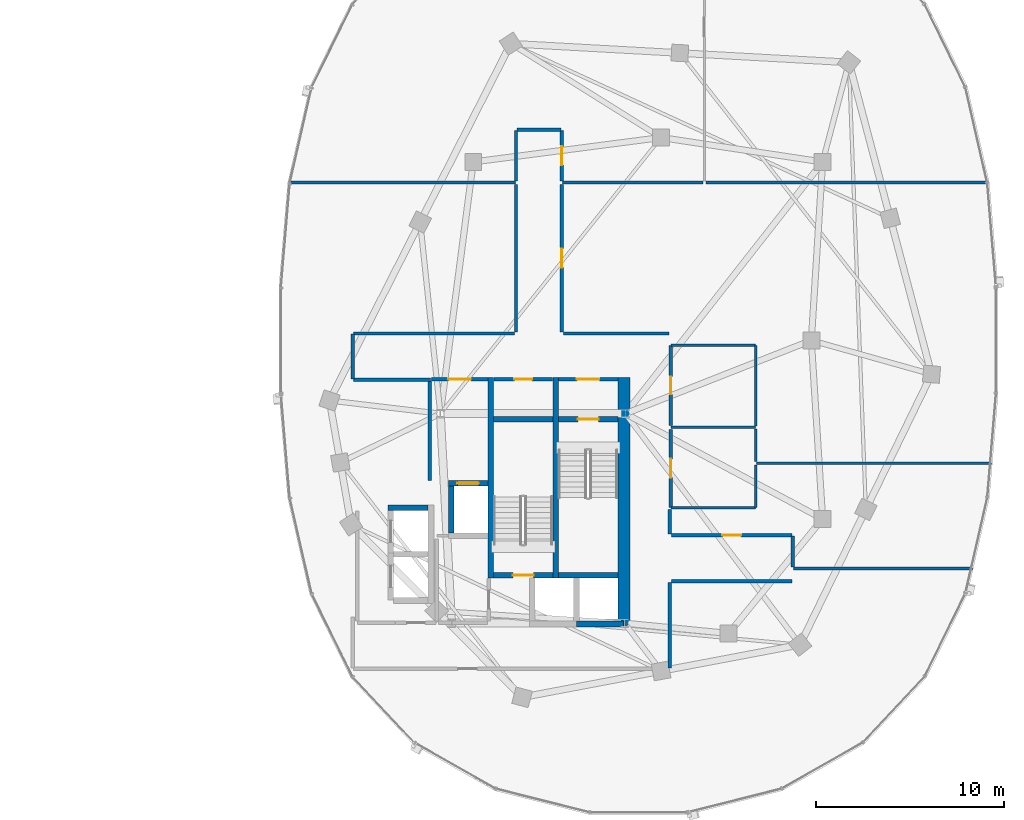
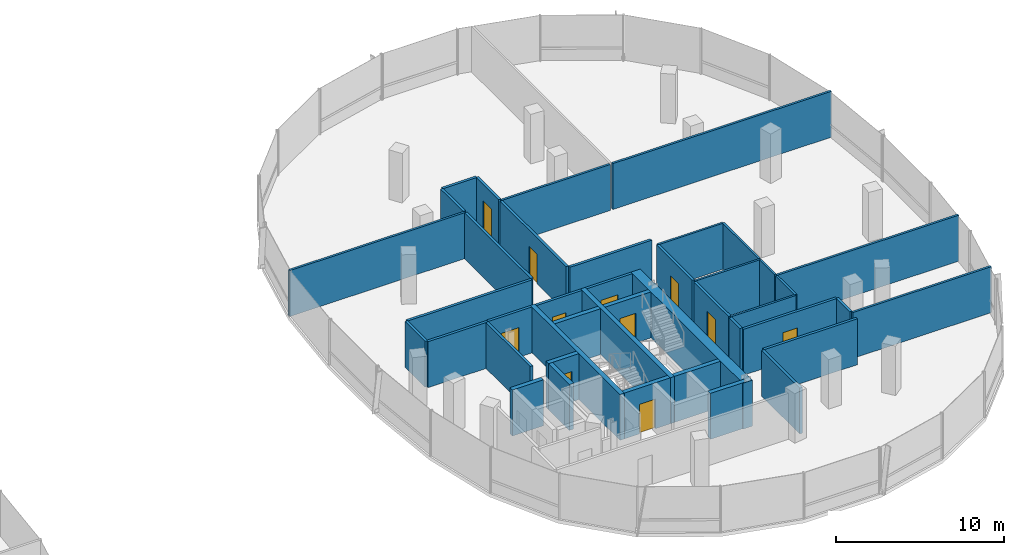
# One storey, part 17 of 25: 42 walls, 11 doors, 11 openings.
"""IFC4 building model written with IfcOpenShell, lengths in metres."""

from ifc_helpers import new_model, si_unit, direction, frame, frame_2d, origin, place, context, subcontext, project, spatial, rectangle, extrude, material, layer, layer_set, type_object, element, fill, save


model = new_model("IFC4")

# Units and contexts
model_context = context("Model", 3, precision=1e-05, world=origin(), true_north=direction((0.0, 1.0)))
body_context = subcontext(model_context, "Body", "Model", "MODEL_VIEW")
ifc_project = project(units=[si_unit("LENGTHUNIT", "METRE"), si_unit("AREAUNIT", "SQUARE_METRE"), si_unit("VOLUMEUNIT", "CUBIC_METRE"), si_unit("PLANEANGLEUNIT", "RADIAN"), si_unit("MASSUNIT", "GRAM", prefix="KILO"), si_unit("THERMODYNAMICTEMPERATUREUNIT", "KELVIN"), si_unit("POWERUNIT", "WATT")], contexts=[model_context])

# Site, building, storey
site_placement = place(None, origin())
site = spatial("IfcSite", under=ifc_project, at=site_placement, CompositionType="ELEMENT")
building_placement = place(site_placement, origin())
building = spatial("IfcBuilding", under=site, at=building_placement, Name="Cundina Bronze Exchange", CompositionType="ELEMENT")
storey_placement = place(building_placement, frame((0.0, 0.0, 209.800048828125)))
storey = spatial("IfcBuildingStorey", under=building, at=storey_placement, Name="L55", CompositionType="ELEMENT", Elevation=209.800048828125)

# Wall
ifc_material_1 = material(Name="Gypsum Fireboard Partition EI120")
ifc_layer_1 = layer(ifc_material_1, 0.179931640625, Name="Gypsum Fireboard Partition EI120")
ifc_layer_set_1 = layer_set([ifc_layer_1], Name="Gypsum Fireboard Partition EI120")
wall_type_1 = type_object("IfcWallType", Name="WL-COR-180", PredefinedType="PARTITIONING", material=ifc_layer_set_1)
wall_1_placement = place(storey_placement, frame((20.889892578125, -7.449951171875, 0.0), z_axis=(0.0, 0.0, 1.0), x_axis=(0.0, 1.0, 0.0)))
element("IfcWall", 1, at=wall_1_placement, inside=storey, type_object=wall_type_1, Name="L55 E Firefighting Lobby Side Wall", PredefinedType="PARTITIONING", context=body_context, shape_type="SweptSolid", body=[
    extrude(rectangle(XDim=5.300048828125, YDim=0.179931640625, at=frame_2d((2.64990234375, 0.0))), origin(), (0.0, 0.0, 1.0), 3.33984375),
])

# Wall, opening, door
wall_2_placement = place(storey_placement, frame((20.97998046875, -2.06005859375, 0.0), z_axis=(0.0, 0.0, 1.0), x_axis=(1.0, 0.0, 0.0)))
wall_2 = element("IfcWall", 2, at=wall_2_placement, inside=storey, type_object=wall_type_1, Name="L55 E Firefighting Lobby Exit Wall", PredefinedType="PARTITIONING", context=body_context, shape_type="SweptSolid", body=[
    extrude(rectangle(XDim=3.0, YDim=0.179931640625, at=frame_2d((1.5, 0.0))), origin(), (0.0, 0.0, 1.0), 3.33984375),
])
opening_1_placement = place(wall_2_placement, frame((0.89990234375, 0.0, 0.0)))
opening_1 = element("IfcOpeningElement", 3, at=opening_1_placement, cuts=wall_2, Name="Opening DF-01", PredefinedType="OPENING", context=body_context, shape_type="SweptSolid", body=[
    extrude(rectangle(XDim=1.199951171875, YDim=2.14990234375, at=frame_2d((0.60009765625, 1.074951171875))), frame((0.0, 0.099853515625, 0.0), z_axis=(0.0, -1.0, 0.0), x_axis=(1.0, 0.0, 0.0)), (0.0, 0.0, 1.0), 0.199951171875),
])
ifc_material_2 = material(Name="Steel ASTM A36 Painted", Category="steel")
door_type_1 = type_object("IfcDoorType", Name="DR-FFL-1200", OperationType="NOTDEFINED", PredefinedType="DOOR", material=ifc_material_2)
door_1_placement = place(opening_1_placement, origin())
door_1 = element("IfcDoor", 4, at=door_1_placement, inside=storey, type_object=door_type_1, Name="L55 E Firefighting Lobby Door", OperationType="SINGLE_SWING_LEFT", OverallHeight=2.14990234375, OverallWidth=1.199951171875, PredefinedType="DOOR", context=body_context, shape_type="SweptSolid", body=[
    extrude(rectangle(XDim=1.199951171875, YDim=2.14990234375, at=frame_2d((0.60009765625, 1.074951171875))), frame((0.0, 0.02490234375, 0.0), z_axis=(0.0, -1.0, 0.0), x_axis=(1.0, 0.0, 0.0)), (0.0, 0.0, 1.0), 0.050048828125),
])
fill(opening_1, door_1)

wall_3_placement = place(storey_placement, frame((27.739990234375, -2.06005859375, 0.0), z_axis=(0.0, 0.0, 1.0), x_axis=(1.0, 0.0, 0.0)))
wall_3 = element("IfcWall", 5, at=wall_3_placement, inside=storey, type_object=wall_type_1, Name="L55 E Stair Vestibule Exit Wall", PredefinedType="PARTITIONING", context=body_context, shape_type="SweptSolid", body=[
    extrude(rectangle(XDim=3.159912109375, YDim=0.179931640625, at=frame_2d((1.580078125, 0.0))), origin(), (0.0, 0.0, 1.0), 3.33984375),
])
opening_2_placement = place(wall_3_placement, frame((0.97998046875, 0.0, 0.0)))
opening_2 = element("IfcOpeningElement", 6, at=opening_2_placement, cuts=wall_3, Name="Opening DF-01", PredefinedType="OPENING", context=body_context, shape_type="SweptSolid", body=[
    extrude(rectangle(XDim=1.199951171875, YDim=2.14990234375, at=frame_2d((0.60009765625, 1.074951171875))), frame((0.0, 0.099853515625, 0.0), z_axis=(0.0, -1.0, 0.0), x_axis=(1.0, 0.0, 0.0)), (0.0, 0.0, 1.0), 0.199951171875),
])
door_2_placement = place(opening_2_placement, origin())
door_2 = element("IfcDoor", 7, at=door_2_placement, inside=storey, type_object=door_type_1, Name="L55 E Stair Vestibule Door", OperationType="SINGLE_SWING_RIGHT", OverallHeight=2.14990234375, OverallWidth=1.199951171875, PredefinedType="DOOR", context=body_context, shape_type="SweptSolid", body=[
    extrude(rectangle(XDim=1.199951171875, YDim=2.14990234375, at=frame_2d((0.60009765625, 1.074951171875))), frame((0.0, 0.02490234375, 0.0), z_axis=(0.0, -1.0, 0.0), x_axis=(1.0, 0.0, 0.0)), (0.0, 0.0, 1.0), 0.050048828125),
])
fill(opening_2, door_2)

wall_4_placement = place(storey_placement, frame((24.300048828125, -2.070068359375, 0.0), z_axis=(0.0, 0.0, 1.0), x_axis=(1.0, 0.0, 0.0)))
wall_4 = element("IfcWall", 8, at=wall_4_placement, inside=storey, type_object=wall_type_1, Name="L55 Interior Partition 049", PredefinedType="PARTITIONING", context=body_context, shape_type="SweptSolid", body=[
    extrude(rectangle(XDim=3.119873046875, YDim=0.179931640625, at=frame_2d((1.56005859375, 0.0))), origin(), (0.0, 0.0, 1.0), 3.33984375),
])
opening_3_placement = place(wall_4_placement, frame((1.0849609375, 0.0, 0.0)))
opening_3 = element("IfcOpeningElement", 9, at=opening_3_placement, cuts=wall_4, Name="Opening DW-01", PredefinedType="OPENING", context=body_context, shape_type="SweptSolid", body=[
    extrude(rectangle(XDim=0.949951171875, YDim=2.10009765625, at=frame_2d((0.47509765625, 1.050048828125))), frame((0.0, 0.099853515625, 0.0), z_axis=(0.0, -1.0, 0.0), x_axis=(1.0, 0.0, 0.0)), (0.0, 0.0, 1.0), 0.199951171875),
])
ifc_material_3 = material(Name="Solid Andean Oak Timber Grade A", Category="wood")
door_type_2 = type_object("IfcDoorType", Name="DR-WC-950", OperationType="NOTDEFINED", PredefinedType="DOOR", material=ifc_material_3)
door_3_placement = place(opening_3_placement, origin())
door_3 = element("IfcDoor", 10, at=door_3_placement, inside=storey, type_object=door_type_2, Name="L55 Interior Door 049", OperationType="SINGLE_SWING_RIGHT", OverallHeight=2.10009765625, OverallWidth=0.949951171875, PredefinedType="DOOR", context=body_context, shape_type="SweptSolid", body=[
    extrude(rectangle(XDim=0.949951171875, YDim=2.10009765625, at=frame_2d((0.47509765625, 1.050048828125))), frame((0.0, 0.02490234375, 0.0), z_axis=(0.0, -1.0, 0.0), x_axis=(1.0, 0.0, 0.0)), (0.0, 0.0, 1.0), 0.050048828125),
])
fill(opening_3, door_3)

wall_5_placement = place(storey_placement, frame((33.719970703125, -4.530029296875, 0.0), z_axis=(0.0, 0.0, 1.0), x_axis=(0.0, 1.0, 0.0)))
wall_5 = element("IfcWall", 11, at=wall_5_placement, inside=storey, type_object=wall_type_1, Name="L55 Interior Partition 057", PredefinedType="PARTITIONING", context=body_context, shape_type="SweptSolid", body=[
    extrude(rectangle(XDim=4.260009765625, YDim=0.179931640625, at=frame_2d((2.1298828125, 0.0))), origin(), (0.0, 0.0, 1.0), 3.33984375),
])
opening_4_placement = place(wall_5_placement, frame((1.655029296875, 0.0, 0.0)))
opening_4 = element("IfcOpeningElement", 12, at=opening_4_placement, cuts=wall_5, Name="Opening DW-01", PredefinedType="OPENING", context=body_context, shape_type="SweptSolid", body=[
    extrude(rectangle(XDim=0.949951171875, YDim=2.10009765625, at=frame_2d((0.47509765625, 1.050048828125))), frame((0.0, 0.099853515625, 0.0), z_axis=(0.0, -1.0, 0.0), x_axis=(1.0, 0.0, 0.0)), (0.0, 0.0, 1.0), 0.199951171875),
])
door_4_placement = place(opening_4_placement, origin())
door_4 = element("IfcDoor", 13, at=door_4_placement, inside=storey, type_object=door_type_2, Name="L55 Interior Door 057", OperationType="SINGLE_SWING_RIGHT", OverallHeight=2.10009765625, OverallWidth=0.949951171875, PredefinedType="DOOR", context=body_context, shape_type="SweptSolid", body=[
    extrude(rectangle(XDim=0.949951171875, YDim=2.10009765625, at=frame_2d((0.47509765625, 1.050048828125))), frame((0.0, 0.02490234375, 0.0), z_axis=(0.0, -1.0, 0.0), x_axis=(1.0, 0.0, 0.0)), (0.0, 0.0, 1.0), 0.050048828125),
])
fill(opening_4, door_4)

wall_6_placement = place(storey_placement, frame((33.719970703125, -8.889892578125, 0.0), z_axis=(0.0, 0.0, 1.0), x_axis=(0.0, 1.0, 0.0)))
wall_6 = element("IfcWall", 14, at=wall_6_placement, inside=storey, type_object=wall_type_1, Name="L55 Interior Partition 058", PredefinedType="PARTITIONING", context=body_context, shape_type="SweptSolid", body=[
    extrude(rectangle(XDim=4.159912109375, YDim=0.179931640625, at=frame_2d((2.080078125, 0.0))), origin(), (0.0, 0.0, 1.0), 3.33984375),
])
opening_5_placement = place(wall_6_placement, frame((1.580078125, 0.0, 0.0)))
opening_5 = element("IfcOpeningElement", 15, at=opening_5_placement, cuts=wall_6, Name="Opening DO-01", PredefinedType="OPENING", context=body_context, shape_type="SweptSolid", body=[
    extrude(rectangle(XDim=1.0, YDim=2.14990234375, at=frame_2d((0.5, 1.074951171875))), frame((0.0, 0.099853515625, 0.0), z_axis=(0.0, -1.0, 0.0), x_axis=(1.0, 0.0, 0.0)), (0.0, 0.0, 1.0), 0.199951171875),
])
door_type_3 = type_object("IfcDoorType", Name="DR-OFF-1000", OperationType="NOTDEFINED", PredefinedType="DOOR", material=ifc_material_3)
door_5_placement = place(opening_5_placement, origin())
door_5 = element("IfcDoor", 16, at=door_5_placement, inside=storey, type_object=door_type_3, Name="L55 Interior Door 058", OperationType="SINGLE_SWING_RIGHT", OverallHeight=2.14990234375, OverallWidth=1.0, PredefinedType="DOOR", context=body_context, shape_type="SweptSolid", body=[
    extrude(rectangle(XDim=1.0, YDim=2.14990234375, at=frame_2d((0.5, 1.074951171875))), frame((0.0, 0.02490234375, 0.0), z_axis=(0.0, -1.0, 0.0), x_axis=(1.0, 0.0, 0.0)), (0.0, 0.0, 1.0), 0.050048828125),
])
fill(opening_5, door_5)

# Walls
wall_7_placement = place(storey_placement, frame((25.39990234375, 0.3701171875, 0.0), z_axis=(0.0, 0.0, 1.0), x_axis=(-1.0, 0.0, 0.0)))
element("IfcWall", 17, at=wall_7_placement, inside=storey, type_object=wall_type_1, Name="L55 Interior Partition 065", PredefinedType="PARTITIONING", context=body_context, shape_type="SweptSolid", body=[
    extrude(rectangle(XDim=8.578369140625, YDim=0.179931640625, at=frame_2d((4.2890625, 0.0))), origin(), (0.0, 0.0, 1.0), 3.33984375),
])
wall_8_placement = place(storey_placement, frame((25.47998046875, 8.31005859375, 0.0), z_axis=(0.0, 0.0, 1.0), x_axis=(0.0, -1.0, 0.0)))
element("IfcWall", 18, at=wall_8_placement, inside=storey, type_object=wall_type_1, Name="L55 Interior Partition 066", PredefinedType="PARTITIONING", context=body_context, shape_type="SweptSolid", body=[
    extrude(rectangle(XDim=7.860107421875, YDim=0.179931640625, at=frame_2d((3.93017578125, 0.0))), origin(), (0.0, 0.0, 1.0), 3.33984375),
])
wall_9_placement = place(storey_placement, frame((33.75, -12.820068359375, 0.0), z_axis=(0.0, 0.0, 1.0), x_axis=(1.0, 0.0, 0.0)))
element("IfcWall", 19, at=wall_9_placement, inside=storey, type_object=wall_type_1, Name="L55 Interior Partition 067", PredefinedType="PARTITIONING", context=body_context, shape_type="SweptSolid", body=[
    extrude(rectangle(XDim=6.428466796875, YDim=0.179931640625, at=frame_2d((3.21435546875, 0.0))), origin(), (0.0, 0.0, 1.0), 3.33984375),
])
wall_10_placement = place(storey_placement, frame((33.669921875, -17.428466796875, 0.0), z_axis=(0.0, 0.0, 1.0), x_axis=(0.0, 1.0, 0.0)))
element("IfcWall", 20, at=wall_10_placement, inside=storey, type_object=wall_type_1, Name="L55 Interior Partition 068", PredefinedType="PARTITIONING", context=body_context, shape_type="SweptSolid", body=[
    extrude(rectangle(XDim=4.528564453125, YDim=0.179931640625, at=frame_2d((2.26416015625, 0.0))), origin(), (0.0, 0.0, 1.0), 3.33984375),
])
wall_11_placement = place(storey_placement, frame((16.821533203125, -2.10009765625, 0.0), z_axis=(0.0, 0.0, 1.0), x_axis=(1.0, 0.0, 0.0)))
element("IfcWall", 21, at=wall_11_placement, inside=storey, type_object=wall_type_1, Name="L55 Interior Partition 069", PredefinedType="PARTITIONING", context=body_context, shape_type="SweptSolid", body=[
    extrude(rectangle(XDim=4.098388671875, YDim=0.179931640625, at=frame_2d((2.04931640625, 0.0))), origin(), (0.0, 0.0, 1.0), 3.33984375),
])
wall_12_placement = place(storey_placement, frame((16.780029296875, 0.32861328125, 0.0), z_axis=(0.0, 0.0, 1.0), x_axis=(0.0, -1.0, 0.0)))
element("IfcWall", 22, at=wall_12_placement, inside=storey, type_object=wall_type_1, Name="L55 Interior Partition 071", PredefinedType="PARTITIONING", context=body_context, shape_type="SweptSolid", body=[
    extrude(rectangle(XDim=2.38720703125, YDim=0.179931640625, at=frame_2d((1.193603515625, 0.0))), origin(), (0.0, 0.0, 1.0), 3.33984375),
])

# Wall, opening, door
wall_13_placement = place(storey_placement, frame((40.178466796875, -10.3798828125, 0.0), z_axis=(0.0, 0.0, 1.0), x_axis=(-1.0, 0.0, 0.0)))
wall_13 = element("IfcWall", 23, at=wall_13_placement, inside=storey, type_object=wall_type_1, Name="L55 Interior Partition 072", PredefinedType="PARTITIONING", context=body_context, shape_type="SweptSolid", body=[
    extrude(rectangle(XDim=6.428466796875, YDim=0.179931640625, at=frame_2d((3.21435546875, 0.0))), origin(), (0.0, 0.0, 1.0), 3.33984375),
])
opening_6_placement = place(wall_13_placement, frame((2.714111328125, 0.0, 0.0)))
opening_6 = element("IfcOpeningElement", 24, at=opening_6_placement, cuts=wall_13, Name="Opening DO-01", PredefinedType="OPENING", context=body_context, shape_type="SweptSolid", body=[
    extrude(rectangle(XDim=1.0, YDim=2.14990234375, at=frame_2d((0.5, 1.074951171875))), frame((0.0, 0.099853515625, 0.0), z_axis=(0.0, -1.0, 0.0), x_axis=(1.0, 0.0, 0.0)), (0.0, 0.0, 1.0), 0.199951171875),
])
door_6_placement = place(opening_6_placement, origin())
door_6 = element("IfcDoor", 25, at=door_6_placement, inside=storey, type_object=door_type_3, Name="L55 Interior Door 072", OperationType="SINGLE_SWING_RIGHT", OverallHeight=2.14990234375, OverallWidth=1.0, PredefinedType="DOOR", context=body_context, shape_type="SweptSolid", body=[
    extrude(rectangle(XDim=1.0, YDim=2.14990234375, at=frame_2d((0.5, 1.074951171875))), frame((0.0, 0.02490234375, 0.0), z_axis=(0.0, -1.0, 0.0), x_axis=(1.0, 0.0, 0.0)), (0.0, 0.0, 1.0), 0.050048828125),
])
fill(opening_6, door_6)

# Walls
wall_14_placement = place(storey_placement, frame((40.219970703125, -12.050048828125, 0.0), z_axis=(0.0, 0.0, 1.0), x_axis=(0.0, 1.0, 0.0)))
element("IfcWall", 26, at=wall_14_placement, inside=storey, type_object=wall_type_1, Name="L55 Interior Partition 073", PredefinedType="PARTITIONING", context=body_context, shape_type="SweptSolid", body=[
    extrude(rectangle(XDim=1.628662109375, YDim=0.179931640625, at=frame_2d((0.814453125, 0.0))), origin(), (0.0, 0.0, 1.0), 3.33984375),
])
wall_15_placement = place(storey_placement, frame((33.669921875, -10.300048828125, 0.0), z_axis=(0.0, 0.0, 1.0), x_axis=(0.0, 1.0, 0.0)))
element("IfcWall", 27, at=wall_15_placement, inside=storey, type_object=wall_type_1, Name="L55 Interior Partition 074", PredefinedType="PARTITIONING", context=body_context, shape_type="SweptSolid", body=[
    extrude(rectangle(XDim=1.298583984375, YDim=0.179931640625, at=frame_2d((0.6494140625, 0.0))), origin(), (0.0, 0.0, 1.0), 3.33984375),
])

# Wall, opening, door
wall_16_placement = place(storey_placement, frame((27.919921875, 0.449951171875, 0.0), z_axis=(0.0, 0.0, 1.0), x_axis=(0.0, 1.0, 0.0)))
wall_16 = element("IfcWall", 28, at=wall_16_placement, inside=storey, type_object=wall_type_1, Name="L55 Interior Partition 075", PredefinedType="PARTITIONING", context=body_context, shape_type="SweptSolid", body=[
    extrude(rectangle(XDim=7.860107421875, YDim=0.179931640625, at=frame_2d((3.93017578125, 0.0))), origin(), (0.0, 0.0, 1.0), 3.33984375),
])
opening_7_placement = place(wall_16_placement, frame((3.429931640625, 0.0, 0.0)))
opening_7 = element("IfcOpeningElement", 29, at=opening_7_placement, cuts=wall_16, Name="Opening DO-01", PredefinedType="OPENING", context=body_context, shape_type="SweptSolid", body=[
    extrude(rectangle(XDim=1.0, YDim=2.14990234375, at=frame_2d((0.5, 1.074951171875))), frame((0.0, 0.099853515625, 0.0), z_axis=(0.0, -1.0, 0.0), x_axis=(1.0, 0.0, 0.0)), (0.0, 0.0, 1.0), 0.199951171875),
])
door_7_placement = place(opening_7_placement, origin())
door_7 = element("IfcDoor", 30, at=door_7_placement, inside=storey, type_object=door_type_3, Name="L55 Interior Door 075", OperationType="SINGLE_SWING_LEFT", OverallHeight=2.14990234375, OverallWidth=1.0, PredefinedType="DOOR", context=body_context, shape_type="SweptSolid", body=[
    extrude(rectangle(XDim=1.0, YDim=2.14990234375, at=frame_2d((0.5, 1.074951171875))), frame((0.0, 0.02490234375, 0.0), z_axis=(0.0, -1.0, 0.0), x_axis=(1.0, 0.0, 0.0)), (0.0, 0.0, 1.0), 0.050048828125),
])
fill(opening_7, door_7)

# Wall
wall_17_placement = place(storey_placement, frame((33.62841796875, 0.3701171875, 0.0), z_axis=(0.0, 0.0, 1.0), x_axis=(-1.0, 0.0, 0.0)))
element("IfcWall", 31, at=wall_17_placement, inside=storey, type_object=wall_type_1, Name="L55 Interior Partition 076", PredefinedType="PARTITIONING", context=body_context, shape_type="SweptSolid", body=[
    extrude(rectangle(XDim=5.62841796875, YDim=0.179931640625, at=frame_2d((2.814208984375, 0.0))), origin(), (0.0, 0.0, 1.0), 3.33984375),
])

# Wall, opening, door
wall_18_placement = place(storey_placement, frame((27.919921875, 8.489990234375, 0.0), z_axis=(0.0, 0.0, 1.0), x_axis=(0.0, 1.0, 0.0)))
wall_18 = element("IfcWall", 32, at=wall_18_placement, inside=storey, type_object=wall_type_1, Name="L55 Interior Partition 077", PredefinedType="PARTITIONING", context=body_context, shape_type="SweptSolid", body=[
    extrude(rectangle(XDim=2.6884765625, YDim=0.179931640625, at=frame_2d((1.34423828125, 0.0))), origin(), (0.0, 0.0, 1.0), 3.33984375),
])
opening_8_placement = place(wall_18_placement, frame((0.84423828125, 0.0, 0.0)))
opening_8 = element("IfcOpeningElement", 33, at=opening_8_placement, cuts=wall_18, Name="Opening DO-01", PredefinedType="OPENING", context=body_context, shape_type="SweptSolid", body=[
    extrude(rectangle(XDim=1.0, YDim=2.14990234375, at=frame_2d((0.5, 1.074951171875))), frame((0.0, 0.099853515625, 0.0), z_axis=(0.0, -1.0, 0.0), x_axis=(1.0, 0.0, 0.0)), (0.0, 0.0, 1.0), 0.199951171875),
])
door_8_placement = place(opening_8_placement, origin())
door_8 = element("IfcDoor", 34, at=door_8_placement, inside=storey, type_object=door_type_3, Name="L55 Interior Door 077", OperationType="SINGLE_SWING_RIGHT", OverallHeight=2.14990234375, OverallWidth=1.0, PredefinedType="DOOR", context=body_context, shape_type="SweptSolid", body=[
    extrude(rectangle(XDim=1.0, YDim=2.14990234375, at=frame_2d((0.5, 1.074951171875))), frame((0.0, 0.02490234375, 0.0), z_axis=(0.0, -1.0, 0.0), x_axis=(1.0, 0.0, 0.0)), (0.0, 0.0, 1.0), 0.050048828125),
])
fill(opening_8, door_8)

# Walls
wall_19_placement = place(storey_placement, frame((25.47998046875, 11.178466796875, 0.0), z_axis=(0.0, 0.0, 1.0), x_axis=(0.0, -1.0, 0.0)))
element("IfcWall", 35, at=wall_19_placement, inside=storey, type_object=wall_type_1, Name="L55 Interior Partition 078", PredefinedType="PARTITIONING", context=body_context, shape_type="SweptSolid", body=[
    extrude(rectangle(XDim=2.6884765625, YDim=0.179931640625, at=frame_2d((1.34423828125, 0.0))), origin(), (0.0, 0.0, 1.0), 3.33984375),
])
wall_20_placement = place(storey_placement, frame((27.87841796875, 11.219970703125, 0.0), z_axis=(0.0, 0.0, 1.0), x_axis=(-1.0, 0.0, 0.0)))
element("IfcWall", 36, at=wall_20_placement, inside=storey, type_object=wall_type_1, Name="L55 Interior Partition 079", PredefinedType="PARTITIONING", context=body_context, shape_type="SweptSolid", body=[
    extrude(rectangle(XDim=2.35693359375, YDim=0.179931640625, at=frame_2d((1.178466796875, 0.0))), origin(), (0.0, 0.0, 1.0), 3.33984375),
])
ifc_material_4 = material(Name="Concrete C50/60", Category="concrete")
ifc_layer_2 = layer(ifc_material_4, 0.64990234375, Name="Concrete C50/60", Category="concrete")
ifc_layer_set_2 = layer_set([ifc_layer_2], Name="Concrete C50/60")
wall_type_2 = type_object("IfcWallType", Name="WL-CORE-650", PredefinedType="SHEAR", material=ifc_layer_set_2)
wall_21_placement = place(storey_placement, frame((31.22509765625, -15.300048828125, 0.0), z_axis=(0.0, 0.0, 1.0), x_axis=(0.0, 1.0, 0.0)))
element("IfcWall", 37, at=wall_21_placement, inside=storey, type_object=wall_type_2, Name="L55 E Primary Core Shear Spine Wall", PredefinedType="SHEAR", context=body_context, shape_type="SweptSolid", body=[
    extrude(rectangle(XDim=13.330078125, YDim=0.64990234375, at=frame_2d((6.6650390625, 0.0))), origin(), (0.0, 0.0, 1.0), 3.33984375),
])
ifc_layer_3 = layer(ifc_material_4, 0.300048828125, Name="Concrete C50/60", Category="concrete")
ifc_layer_set_3 = layer_set([ifc_layer_3], Name="Concrete C50/60")
wall_type_3 = type_object("IfcWallType", Name="WL-SHFT-300", PredefinedType="SHEAR", material=ifc_layer_set_3)
for number, where, z_axis, x_axis, name in (
    (38, (27.590087890625, -12.64990234375, 0.0), (0.0, 0.0, 1.0), (0.0, 1.0, 0.0), "L55 E Stair Shaft Dividing Shear Wall"),
    (39, (24.1298828125, -12.64990234375, 0.0), (0.0, 0.0, 1.0), (0.0, 1.0, 0.0), "L55 E Stair 2 East Shear Wall"),
):
    element("IfcWall", number, at=place(storey_placement, frame(where, z_axis=z_axis, x_axis=x_axis)), inside=storey, type_object=wall_type_3, Name=name, PredefinedType="SHEAR", context=body_context, shape_type="SweptSolid", body=[
        extrude(rectangle(XDim=10.679931640625, YDim=0.300048828125, at=frame_2d((5.33984375, 0.0))), origin(), (0.0, 0.0, 1.0), 3.33984375),
    ])

# Wall, opening, door
wall_22_placement = place(storey_placement, frame((27.739990234375, -4.199951171875, 0.0), z_axis=(0.0, 0.0, 1.0), x_axis=(1.0, 0.0, 0.0)))
wall_22 = element("IfcWall", 40, at=wall_22_placement, inside=storey, type_object=wall_type_3, Name="L55 Stair E1 Landing Wall", PredefinedType="SHEAR", context=body_context, shape_type="SweptSolid", body=[
    extrude(rectangle(XDim=3.159912109375, YDim=0.300048828125, at=frame_2d((1.580078125, 0.0))), origin(), (0.0, 0.0, 1.0), 3.33984375),
])
opening_9_placement = place(wall_22_placement, frame((1.030029296875, 0.0, 0.0)))
opening_9 = element("IfcOpeningElement", 41, at=opening_9_placement, cuts=wall_22, Name="Opening DS-01", PredefinedType="OPENING", context=body_context, shape_type="SweptSolid", body=[
    extrude(rectangle(XDim=1.10009765625, YDim=2.14990234375, at=frame_2d((0.550048828125, 1.074951171875))), frame((0.0, 0.159912109375, 0.0), z_axis=(0.0, -1.0, 0.0), x_axis=(1.0, 0.0, 0.0)), (0.0, 0.0, 1.0), 0.320068359375),
])
door_type_4 = type_object("IfcDoorType", Name="DR-STR-1100", OperationType="NOTDEFINED", PredefinedType="DOOR", material=ifc_material_2)
door_9_placement = place(opening_9_placement, origin())
door_9 = element("IfcDoor", 42, at=door_9_placement, inside=storey, type_object=door_type_4, Name="L55 Smokeproof Stair E1 Door", OperationType="SINGLE_SWING_LEFT", OverallHeight=2.14990234375, OverallWidth=1.10009765625, PredefinedType="DOOR", context=body_context, shape_type="SweptSolid", body=[
    extrude(rectangle(XDim=1.10009765625, YDim=2.14990234375, at=frame_2d((0.550048828125, 1.074951171875))), frame((0.0, 0.02490234375, 0.0), z_axis=(0.0, -1.0, 0.0), x_axis=(1.0, 0.0, 0.0)), (0.0, 0.0, 1.0), 0.050048828125),
])
fill(opening_9, door_9)

# Wall
wall_23_placement = place(storey_placement, frame((27.739990234375, -12.5, 0.0), z_axis=(0.0, 0.0, 1.0), x_axis=(1.0, 0.0, 0.0)))
element("IfcWall", 43, at=wall_23_placement, inside=storey, type_object=wall_type_3, Name="L55 Stair E1 Far Shaft Wall", PredefinedType="SHEAR", context=body_context, shape_type="SweptSolid", body=[
    extrude(rectangle(XDim=3.159912109375, YDim=0.300048828125, at=frame_2d((1.580078125, 0.0))), origin(), (0.0, 0.0, 1.0), 3.33984375),
])

# Wall, opening, door
wall_24_placement = place(storey_placement, frame((24.280029296875, -12.5, 0.0), z_axis=(0.0, 0.0, 1.0), x_axis=(1.0, 0.0, 0.0)))
wall_24 = element("IfcWall", 44, at=wall_24_placement, inside=storey, type_object=wall_type_3, Name="L55 Stair E2 Landing Wall", PredefinedType="SHEAR", context=body_context, shape_type="SweptSolid", body=[
    extrude(rectangle(XDim=3.159912109375, YDim=0.300048828125, at=frame_2d((1.580078125, 0.0))), origin(), (0.0, 0.0, 1.0), 3.33984375),
])
opening_10_placement = place(wall_24_placement, frame((1.030029296875, 0.0, 0.0)))
opening_10 = element("IfcOpeningElement", 45, at=opening_10_placement, cuts=wall_24, Name="Opening DS-01", PredefinedType="OPENING", context=body_context, shape_type="SweptSolid", body=[
    extrude(rectangle(XDim=1.10009765625, YDim=2.14990234375, at=frame_2d((0.550048828125, 1.074951171875))), frame((0.0, 0.159912109375, 0.0), z_axis=(0.0, -1.0, 0.0), x_axis=(1.0, 0.0, 0.0)), (0.0, 0.0, 1.0), 0.320068359375),
])
door_10_placement = place(opening_10_placement, origin())
door_10 = element("IfcDoor", 46, at=door_10_placement, inside=storey, type_object=door_type_4, Name="L55 Smokeproof Stair E2 Door", OperationType="SINGLE_SWING_RIGHT", OverallHeight=2.14990234375, OverallWidth=1.10009765625, PredefinedType="DOOR", context=body_context, shape_type="SweptSolid", body=[
    extrude(rectangle(XDim=1.10009765625, YDim=2.14990234375, at=frame_2d((0.550048828125, 1.074951171875))), frame((0.0, 0.02490234375, 0.0), z_axis=(0.0, -1.0, 0.0), x_axis=(1.0, 0.0, 0.0)), (0.0, 0.0, 1.0), 0.050048828125),
])
fill(opening_10, door_10)

# Wall
wall_25_placement = place(storey_placement, frame((24.280029296875, -4.199951171875, 0.0), z_axis=(0.0, 0.0, 1.0), x_axis=(1.0, 0.0, 0.0)))
element("IfcWall", 47, at=wall_25_placement, inside=storey, type_object=wall_type_3, Name="L55 Stair E2 Far Shaft Wall", PredefinedType="SHEAR", context=body_context, shape_type="SweptSolid", body=[
    extrude(rectangle(XDim=3.159912109375, YDim=0.300048828125, at=frame_2d((1.580078125, 0.0))), origin(), (0.0, 0.0, 1.0), 3.33984375),
])

# Wall, opening, door
wall_26_placement = place(storey_placement, frame((21.8798828125, -7.60009765625, 0.0), z_axis=(0.0, 0.0, 1.0), x_axis=(1.0, 0.0, 0.0)))
wall_26 = element("IfcWall", 48, at=wall_26_placement, inside=storey, type_object=wall_type_3, Name="L55 FFL-E Hoistway Front Wall", PredefinedType="SHEAR", context=body_context, shape_type="SweptSolid", body=[
    extrude(rectangle(XDim=2.10009765625, YDim=0.300048828125, at=frame_2d((1.050048828125, 0.0))), origin(), (0.0, 0.0, 1.0), 3.33984375),
])
opening_11_placement = place(wall_26_placement, frame((0.47509765625, 0.0, 0.0)))
opening_11 = element("IfcOpeningElement", 49, at=opening_11_placement, cuts=wall_26, Name="Opening LD-01", PredefinedType="OPENING", context=body_context, shape_type="SweptSolid", body=[
    extrude(rectangle(XDim=1.14990234375, YDim=2.199951171875, at=frame_2d((0.574951171875, 1.10009765625))), frame((0.0, 0.159912109375, 0.0), z_axis=(0.0, -1.0, 0.0), x_axis=(1.0, 0.0, 0.0)), (0.0, 0.0, 1.0), 0.320068359375),
])
door_type_5 = type_object("IfcDoorType", Name="DR-LND-1150", OperationType="NOTDEFINED", PredefinedType="TRAPDOOR", material=ifc_material_2)
door_11_placement = place(opening_11_placement, origin())
door_11 = element("IfcDoor", 50, at=door_11_placement, inside=storey, type_object=door_type_5, Name="L55 FFL-E Sliding Landing Door", OperationType="SLIDING_TO_LEFT", OverallHeight=2.199951171875, OverallWidth=1.14990234375, PredefinedType="TRAPDOOR", context=body_context, shape_type="SweptSolid", body=[
    extrude(rectangle(XDim=1.14990234375, YDim=2.199951171875, at=frame_2d((0.574951171875, 1.10009765625))), frame((0.0, 0.02490234375, 0.0), z_axis=(0.0, -1.0, 0.0), x_axis=(1.0, 0.0, 0.0)), (0.0, 0.0, 1.0), 0.050048828125),
])
fill(opening_11, door_11)

# Walls
for number, where, z_axis, x_axis, name in (
    (51, (22.030029296875, -10.25, 0.0), (0.0, 0.0, 1.0), (0.0, 1.0, 0.0), "L55 FFL-E Hoistway Side Wall"),
    (52, (28.699951171875, -15.10009765625, 0.0), (0.0, 0.0, 1.0), (1.0, 0.0, 0.0), "L55 PH-E1 Hoistway Front Wall"),
):
    element("IfcWall", number, at=place(storey_placement, frame(where, z_axis=z_axis, x_axis=x_axis)), inside=storey, type_object=wall_type_3, Name=name, PredefinedType="SHEAR", context=body_context, shape_type="SweptSolid", body=[
        extrude(rectangle(XDim=2.5, YDim=0.300048828125, at=frame_2d((1.25, 0.0))), origin(), (0.0, 0.0, 1.0), 3.33984375),
    ])
wall_27_placement = place(storey_placement, frame((18.64990234375, -8.89990234375, 0.0), z_axis=(0.0, 0.0, 1.0), x_axis=(1.0, 0.0, 0.0)))
element("IfcWall", 53, at=wall_27_placement, inside=storey, type_object=wall_type_3, Name="L55 E Passenger Bank North Cap Wall", PredefinedType="SHEAR", context=body_context, shape_type="SweptSolid", body=[
    extrude(rectangle(XDim=2.150146484375, YDim=0.300048828125, at=frame_2d((1.0751953125, 0.0))), origin(), (0.0, 0.0, 1.0), 3.33984375),
])
ifc_material_5 = material(Name="Gypsum Acoustic Partition EI60")
ifc_layer_4 = layer(ifc_material_5, 0.14990234375, Name="Gypsum Acoustic Partition EI60")
ifc_layer_set_4 = layer_set([ifc_layer_4], Name="Gypsum Acoustic Partition EI60")
wall_type_4 = type_object("IfcWallType", Name="WL-TEN-150", PredefinedType="PARTITIONING", material=ifc_layer_set_4)
wall_28_placement = place(storey_placement, frame((13.370361328125, 8.39990234375, 0.0), z_axis=(0.0, 0.0, 1.0), x_axis=(1.0, 0.0, 0.0)))
element("IfcWall", 54, at=wall_28_placement, inside=storey, type_object=wall_type_4, Name="L55 Interior Partition 059", PredefinedType="PARTITIONING", context=body_context, shape_type="SweptSolid", body=[
    extrude(rectangle(XDim=12.07958984375, YDim=0.14990234375, at=frame_2d((6.039794921875, 0.0))), origin(), (0.0, 0.0, 1.0), 3.33984375),
])
wall_29_placement = place(storey_placement, frame((27.949951171875, 8.39990234375, 0.0), z_axis=(0.0, 0.0, 1.0), x_axis=(1.0, 0.0, 0.0)))
element("IfcWall", 55, at=wall_29_placement, inside=storey, type_object=wall_type_4, Name="L55 Interior Partition 060", PredefinedType="PARTITIONING", context=body_context, shape_type="SweptSolid", body=[
    extrude(rectangle(XDim=7.47509765625, YDim=0.14990234375, at=frame_2d((3.737548828125, 0.0))), origin(), (0.0, 0.0, 1.0), 3.33984375),
])
wall_30_placement = place(storey_placement, frame((35.594970703125, 8.39990234375, 0.0), z_axis=(0.0, 0.0, 1.0), x_axis=(1.0, 0.0, 0.0)))
element("IfcWall", 56, at=wall_30_placement, inside=storey, type_object=wall_type_4, Name="L55 Interior Partition 061", PredefinedType="PARTITIONING", context=body_context, shape_type="SweptSolid", body=[
    extrude(rectangle(XDim=15.03466796875, YDim=0.14990234375, at=frame_2d((7.517333984375, 0.0))), origin(), (0.0, 0.0, 1.0), 3.33984375),
])
wall_31_placement = place(storey_placement, frame((38.27001953125, -6.5400390625, 0.0), z_axis=(0.0, 0.0, 1.0), x_axis=(1.0, 0.0, 0.0)))
element("IfcWall", 57, at=wall_31_placement, inside=storey, type_object=wall_type_4, Name="L55 Interior Partition 062", PredefinedType="PARTITIONING", context=body_context, shape_type="SweptSolid", body=[
    extrude(rectangle(XDim=12.518310546875, YDim=0.14990234375, at=frame_2d((6.25927734375, 0.0))), origin(), (0.0, 0.0, 1.0), 3.33984375),
])
wall_32_placement = place(storey_placement, frame((40.25, -12.139892578125, 0.0), z_axis=(0.0, 0.0, 1.0), x_axis=(1.0, 0.0, 0.0)))
element("IfcWall", 58, at=wall_32_placement, inside=storey, type_object=wall_type_4, Name="L55 Interior Partition 063", PredefinedType="PARTITIONING", context=body_context, shape_type="SweptSolid", body=[
    extrude(rectangle(XDim=9.52294921875, YDim=0.14990234375, at=frame_2d((4.761474609375, 0.0))), origin(), (0.0, 0.0, 1.0), 3.33984375),
])
ifc_material_6 = material(Name="Moisture-Resistant Masonry Block Grade M15", Category="masonry")
ifc_layer_5 = layer(ifc_material_6, 0.139892578125, Name="Moisture-Resistant Masonry Block Grade M15", Category="masonry")
ifc_layer_set_5 = layer_set([ifc_layer_5], Name="Moisture-Resistant Masonry Block Grade M15")
wall_type_5 = type_object("IfcWallType", Name="WL-WET-140", PredefinedType="PARTITIONING", material=ifc_layer_set_5)
wall_33_placement = place(storey_placement, frame((38.239990234375, -8.889892578125, 0.0), z_axis=(0.0, 0.0, 1.0), x_axis=(0.0, 1.0, 0.0)))
element("IfcWall", 59, at=wall_33_placement, inside=storey, type_object=wall_type_5, Name="L55 Interior Partition 051", PredefinedType="PARTITIONING", context=body_context, shape_type="SweptSolid", body=[
    extrude(rectangle(XDim=2.264892578125, YDim=0.139892578125, at=frame_2d((1.13232421875, 0.0))), origin(), (0.0, 0.0, 1.0), 3.33984375),
])
wall_34_placement = place(storey_placement, frame((38.239990234375, -6.455078125, 0.0), z_axis=(0.0, 0.0, 1.0), x_axis=(0.0, 1.0, 0.0)))
element("IfcWall", 60, at=wall_34_placement, inside=storey, type_object=wall_type_5, Name="L55 Interior Partition 052", PredefinedType="PARTITIONING", context=body_context, shape_type="SweptSolid", body=[
    extrude(rectangle(XDim=1.739990234375, YDim=0.139892578125, at=frame_2d((0.8701171875, 0.0))), origin(), (0.0, 0.0, 1.0), 3.33984375),
])
wall_35_placement = place(storey_placement, frame((38.239990234375, -4.544921875, 0.0), z_axis=(0.0, 0.0, 1.0), x_axis=(0.0, 1.0, 0.0)))
element("IfcWall", 61, at=wall_35_placement, inside=storey, type_object=wall_type_5, Name="L55 Interior Partition 053", PredefinedType="PARTITIONING", context=body_context, shape_type="SweptSolid", body=[
    extrude(rectangle(XDim=4.27490234375, YDim=0.139892578125, at=frame_2d((2.137451171875, 0.0))), origin(), (0.0, 0.0, 1.0), 3.33984375),
])
for number, where, z_axis, x_axis, name in (
    (62, (33.739990234375, -0.25, 0.0), (0.0, 0.0, 1.0), (1.0, 0.0, 0.0), "L55 Interior Partition 054"),
    (63, (33.739990234375, -4.6298828125, 0.0), (0.0, 0.0, 1.0), (1.0, 0.0, 0.0), "L55 Interior Partition 055"),
    (64, (33.739990234375, -8.909912109375, 0.0), (0.0, 0.0, 1.0), (1.0, 0.0, 0.0), "L55 Interior Partition 056"),
):
    element("IfcWall", number, at=place(storey_placement, frame(where, z_axis=z_axis, x_axis=x_axis)), inside=storey, type_object=wall_type_5, Name=name, PredefinedType="PARTITIONING", context=body_context, shape_type="SweptSolid", body=[
        extrude(rectangle(XDim=4.47998046875, YDim=0.139892578125, at=frame_2d((2.239990234375, 0.0))), origin(), (0.0, 0.0, 1.0), 3.33984375),
    ])

save(model, "model.ifc")
